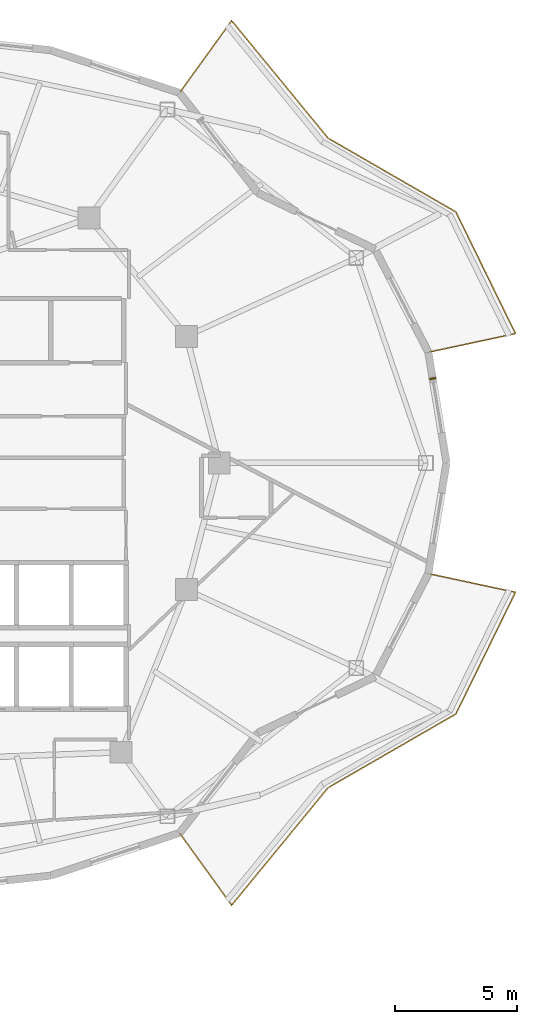
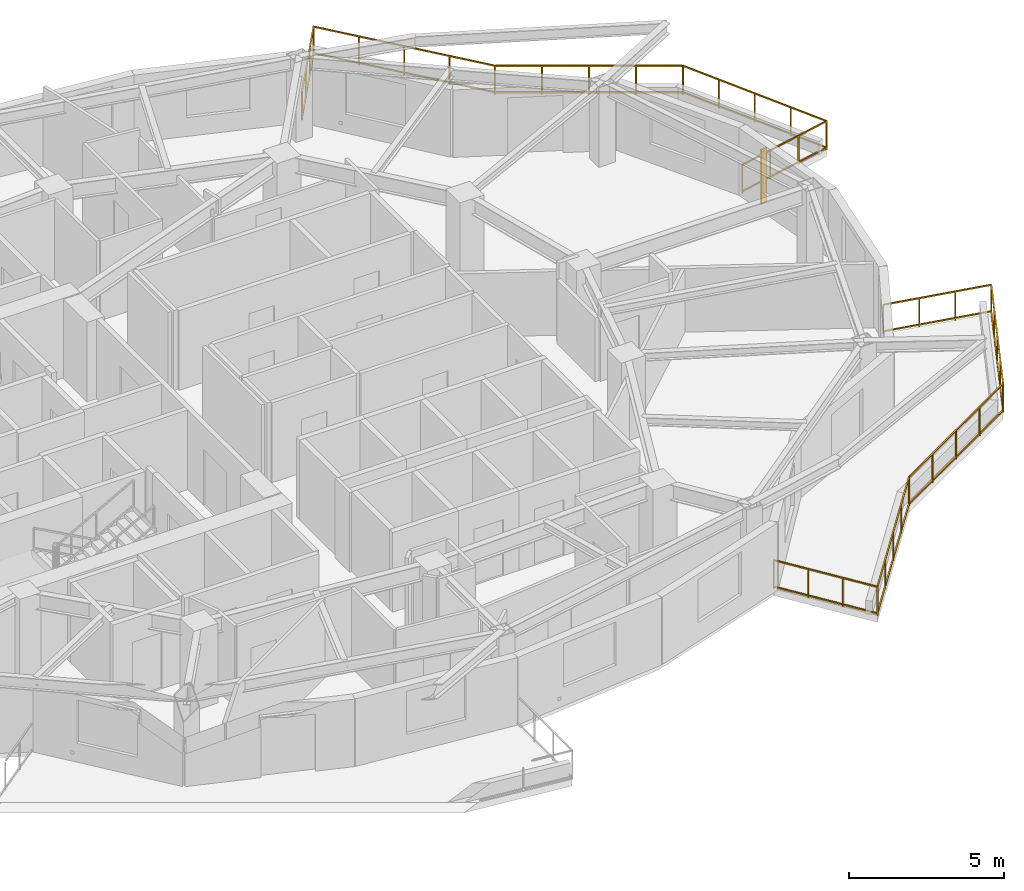
# One storey, part 9 of 10: 2 railings, 1 shading device.
"""IFC4 building model written with IfcOpenShell, lengths in metres."""

from ifc_helpers import new_model, si_unit, direction, frame, origin, origin_2d, place, context, subcontext, project, spatial, rectangle, extrude, material, type_object, element, save


model = new_model("IFC4")

# Units and contexts
model_context = context("Model", 3, precision=1e-05, world=origin(), true_north=direction((0.0, 1.0)))
body_context = subcontext(model_context, "Body", "Model", "MODEL_VIEW")
ifc_project = project(units=[si_unit("LENGTHUNIT", "METRE"), si_unit("AREAUNIT", "SQUARE_METRE"), si_unit("VOLUMEUNIT", "CUBIC_METRE"), si_unit("PLANEANGLEUNIT", "RADIAN"), si_unit("MASSUNIT", "GRAM", prefix="KILO")], contexts=[model_context])

# Site, building, storey
site_placement = place(None, origin())
site = spatial("IfcSite", under=ifc_project, at=site_placement, CompositionType="ELEMENT")
building_placement = place(site_placement, origin())
building = spatial("IfcBuilding", under=site, at=building_placement, Name="Kolvaren Gate Tower and Convention Centre", CompositionType="ELEMENT")
storey_placement = place(building_placement, frame((0.0, 0.0, 152.89990234375)))
storey = spatial("IfcBuildingStorey", under=building, at=storey_placement, Name="L39", CompositionType="ELEMENT", Elevation=152.89990234375)

# Railings
ifc_material_1 = material(Name="Brushed Stainless Steel Grade 316L", Category="steel")
railing_type = type_object("IfcRailingType", Name="ARCH-RL-GUARD-1150", PredefinedType="GUARDRAIL", material=ifc_material_1)
railing_1_placement = place(storey_placement, frame((51.31494140625, 31.542236328125, 0.0)))
element("IfcRailing", 1, at=railing_1_placement, inside=storey, type_object=railing_type, Name="Tower L39 Terrace Perimeter Guardrail GR-1", PredefinedType="GUARDRAIL", context=body_context, shape_type="SweptSolid", body=[
    extrude(rectangle(XDim=0.048095703125, YDim=0.048095703125, at=origin_2d()), frame((0.02734375, 0.005859375, 1.1259765625), z_axis=(0.977791675321, 0.209579196661, 0.0), x_axis=(-0.209579196661, 0.977791675321, 0.0)), (0.0, 0.0, 1.0), 3.60400390625),
    extrude(rectangle(XDim=0.048095703125, YDim=0.048095703125, at=origin_2d()), frame((0.02734375, 0.005859375, 0.083984375), z_axis=(0.977791675321, 0.209579196661, 0.0), x_axis=(-0.209579196661, 0.977791675321, 0.0)), (0.0, 0.0, 1.0), 3.60400390625),
    extrude(rectangle(XDim=0.048095703125, YDim=0.048095703125, at=origin_2d()), frame((3.56640625, 0.792236328125, 1.1259765625), z_axis=(-0.439655234701, 0.898166618507, 0.0), x_axis=(-0.898166618507, -0.439655234701, 0.0)), (0.0, 0.0, 1.0), 5.51123046875),
    extrude(rectangle(XDim=0.048095703125, YDim=0.048095703125, at=origin_2d()), frame((3.56640625, 0.792236328125, 0.083984375), z_axis=(-0.439655234701, 0.898166618507, 0.0), x_axis=(-0.898166618507, -0.439655234701, 0.0)), (0.0, 0.0, 1.0), 5.51123046875),
    extrude(rectangle(XDim=0.048095703125, YDim=0.048095703125, at=origin_2d()), frame((1.10693359375, 5.781494140625, 1.1259765625), z_axis=(-0.866075571306, 0.499913097234, 0.0), x_axis=(-0.499913097234, -0.866075571306, 0.0)), (0.0, 0.0, 1.0), 6.004150390625),
    extrude(rectangle(XDim=0.048095703125, YDim=0.048095703125, at=origin_2d()), frame((1.10693359375, 5.781494140625, 0.083984375), z_axis=(-0.866075571306, 0.499913097234, 0.0), x_axis=(-0.499913097234, -0.866075571306, 0.0)), (0.0, 0.0, 1.0), 6.004150390625),
    extrude(rectangle(XDim=0.048095703125, YDim=0.048095703125, at=origin_2d()), frame((-4.13525390625, 8.81884765625, 1.1259765625), z_axis=(-0.634429234628, 0.77298094818, 0.0), x_axis=(-0.77298094818, -0.634429234628, 0.0)), (0.0, 0.0, 1.0), 6.188720703125),
    extrude(rectangle(XDim=0.048095703125, YDim=0.048095703125, at=origin_2d()), frame((-4.13525390625, 8.81884765625, 0.083984375), z_axis=(-0.634429234628, 0.77298094818, 0.0), x_axis=(-0.77298094818, -0.634429234628, 0.0)), (0.0, 0.0, 1.0), 6.188720703125),
    extrude(rectangle(XDim=0.048095703125, YDim=0.048095703125, at=origin_2d()), frame((-8.095703125, 13.6015625, 1.1259765625), z_axis=(-0.585212870465, -0.810879705161, 0.0), x_axis=(0.810879705161, -0.585212870465, 0.0)), (0.0, 0.0, 1.0), 3.603759765625),
    extrude(rectangle(XDim=0.048095703125, YDim=0.048095703125, at=origin_2d()), frame((-8.095703125, 13.6015625, 0.083984375), z_axis=(-0.585212870465, -0.810879705161, 0.0), x_axis=(0.810879705161, -0.585212870465, 0.0)), (0.0, 0.0, 1.0), 3.603759765625),
    extrude(rectangle(XDim=0.0419921875, YDim=0.0419921875, at=origin_2d()), origin(), (0.0, 0.0, 1.0), 1.14990234375),
    extrude(rectangle(XDim=0.0419921875, YDim=0.0419921875, at=origin_2d()), frame((3.578857421875, 0.76708984375, 0.0)), (0.0, 0.0, 1.0), 1.14990234375),
    extrude(rectangle(XDim=0.0419921875, YDim=0.0419921875, at=origin_2d()), frame((1.19287109375, 0.255615234375, 0.0)), (0.0, 0.0, 1.0), 1.099853515625),
    extrude(rectangle(XDim=0.0419921875, YDim=0.0419921875, at=origin_2d()), frame((2.385986328125, 0.511474609375, 0.0)), (0.0, 0.0, 1.0), 1.099853515625),
    extrude(rectangle(XDim=0.0419921875, YDim=0.0419921875, at=origin_2d()), frame((1.131103515625, 5.767578125, 0.0)), (0.0, 0.0, 1.0), 1.14990234375),
    extrude(rectangle(XDim=0.0419921875, YDim=0.0419921875, at=origin_2d()), frame((2.966796875, 2.01708984375, 0.0)), (0.0, 0.0, 1.0), 1.099853515625),
    extrude(rectangle(XDim=0.0419921875, YDim=0.0419921875, at=origin_2d()), frame((2.35498046875, 3.267333984375, 0.0)), (0.0, 0.0, 1.0), 1.099853515625),
    extrude(rectangle(XDim=0.0419921875, YDim=0.0419921875, at=origin_2d()), frame((1.7431640625, 4.517578125, 0.0)), (0.0, 0.0, 1.0), 1.099853515625),
    extrude(rectangle(XDim=0.0419921875, YDim=0.0419921875, at=origin_2d()), frame((-4.117431640625, 8.797119140625, 0.0)), (0.0, 0.0, 1.0), 1.14990234375),
    extrude(rectangle(XDim=0.0419921875, YDim=0.0419921875, at=origin_2d()), frame((-0.18115234375, 6.52490234375, 0.0)), (0.0, 0.0, 1.0), 1.099853515625),
    extrude(rectangle(XDim=0.0419921875, YDim=0.0419921875, at=origin_2d()), frame((-1.4931640625, 7.2822265625, 0.0)), (0.0, 0.0, 1.0), 1.099853515625),
    extrude(rectangle(XDim=0.0419921875, YDim=0.0419921875, at=origin_2d()), frame((-2.80517578125, 8.039794921875, 0.0)), (0.0, 0.0, 1.0), 1.099853515625),
    extrude(rectangle(XDim=0.0419921875, YDim=0.0419921875, at=origin_2d()), frame((-8.079345703125, 13.624267578125, 0.0)), (0.0, 0.0, 1.0), 1.14990234375),
    extrude(rectangle(XDim=0.0419921875, YDim=0.0419921875, at=origin_2d()), frame((-5.10791015625, 10.00390625, 0.0)), (0.0, 0.0, 1.0), 1.099853515625),
    extrude(rectangle(XDim=0.0419921875, YDim=0.0419921875, at=origin_2d()), frame((-6.098388671875, 11.210693359375, 0.0)), (0.0, 0.0, 1.0), 1.099853515625),
    extrude(rectangle(XDim=0.0419921875, YDim=0.0419921875, at=origin_2d()), frame((-7.0888671875, 12.41748046875, 0.0)), (0.0, 0.0, 1.0), 1.099853515625),
    extrude(rectangle(XDim=0.0419921875, YDim=0.0419921875, at=origin_2d()), frame((-10.22119140625, 10.656494140625, 0.0)), (0.0, 0.0, 1.0), 1.14990234375),
    extrude(rectangle(XDim=0.0419921875, YDim=0.0419921875, at=origin_2d()), frame((-8.793212890625, 12.635009765625, 0.0)), (0.0, 0.0, 1.0), 1.099853515625),
    extrude(rectangle(XDim=0.0419921875, YDim=0.0419921875, at=origin_2d()), frame((-9.50732421875, 11.645751953125, 0.0)), (0.0, 0.0, 1.0), 1.099853515625),
])
railing_2_placement = place(storey_placement, frame((41.09375, 11.80126953125, 0.0)))
element("IfcRailing", 2, at=railing_2_placement, inside=storey, type_object=railing_type, Name="Tower L39 Terrace Perimeter Guardrail GR-4", PredefinedType="GUARDRAIL", context=body_context, shape_type="SweptSolid", body=[
    extrude(rectangle(XDim=0.048095703125, YDim=0.048095703125, at=origin_2d()), frame((0.016357421875, -0.022705078125, 1.1259765625), z_axis=(0.585212870465, -0.810879705161, 0.0), x_axis=(0.810879705161, 0.585212870465, 0.0)), (0.0, 0.0, 1.0), 3.603759765625),
    extrude(rectangle(XDim=0.048095703125, YDim=0.048095703125, at=origin_2d()), frame((0.016357421875, -0.022705078125, 0.083984375), z_axis=(0.585212870465, -0.810879705161, 0.0), x_axis=(0.810879705161, 0.585212870465, 0.0)), (0.0, 0.0, 1.0), 3.603759765625),
    extrude(rectangle(XDim=0.048095703125, YDim=0.048095703125, at=origin_2d()), frame((2.15966796875, -2.946044921875, 1.1259765625), z_axis=(0.634429234628, 0.77298094818, 0.0), x_axis=(-0.77298094818, 0.634429234628, 0.0)), (0.0, 0.0, 1.0), 6.188720703125),
    extrude(rectangle(XDim=0.048095703125, YDim=0.048095703125, at=origin_2d()), frame((2.15966796875, -2.946044921875, 0.083984375), z_axis=(0.634429234628, 0.77298094818, 0.0), x_axis=(-0.77298094818, 0.634429234628, 0.0)), (0.0, 0.0, 1.0), 6.188720703125),
    extrude(rectangle(XDim=0.048095703125, YDim=0.048095703125, at=origin_2d()), frame((6.1279296875, 1.873291015625, 1.1259765625), z_axis=(0.866075571306, 0.499913097234, 0.0), x_axis=(-0.499913097234, 0.866075571306, 0.0)), (0.0, 0.0, 1.0), 6.004150390625),
    extrude(rectangle(XDim=0.048095703125, YDim=0.048095703125, at=origin_2d()), frame((6.1279296875, 1.873291015625, 0.083984375), z_axis=(0.866075571306, 0.499913097234, 0.0), x_axis=(-0.499913097234, 0.866075571306, 0.0)), (0.0, 0.0, 1.0), 6.004150390625),
    extrude(rectangle(XDim=0.048095703125, YDim=0.048095703125, at=origin_2d()), frame((11.36474609375, 4.9140625, 1.1259765625), z_axis=(0.439655234701, 0.898166618507, 0.0), x_axis=(-0.898166618507, 0.439655234701, 0.0)), (0.0, 0.0, 1.0), 5.51123046875),
    extrude(rectangle(XDim=0.048095703125, YDim=0.048095703125, at=origin_2d()), frame((11.36474609375, 4.9140625, 0.083984375), z_axis=(0.439655234701, 0.898166618507, 0.0), x_axis=(-0.898166618507, 0.439655234701, 0.0)), (0.0, 0.0, 1.0), 5.51123046875),
    extrude(rectangle(XDim=0.048095703125, YDim=0.048095703125, at=origin_2d()), frame((13.772705078125, 9.895263671875, 1.1259765625), z_axis=(-0.977791675321, 0.209579196661, 0.0), x_axis=(-0.209579196661, -0.977791675321, 0.0)), (0.0, 0.0, 1.0), 3.60400390625),
    extrude(rectangle(XDim=0.048095703125, YDim=0.048095703125, at=origin_2d()), frame((13.772705078125, 9.895263671875, 0.083984375), z_axis=(-0.977791675321, 0.209579196661, 0.0), x_axis=(-0.209579196661, -0.977791675321, 0.0)), (0.0, 0.0, 1.0), 3.60400390625),
    extrude(rectangle(XDim=0.0419921875, YDim=0.0419921875, at=origin_2d()), origin(), (0.0, 0.0, 1.0), 1.14990234375),
    extrude(rectangle(XDim=0.0419921875, YDim=0.0419921875, at=origin_2d()), frame((2.141845703125, -2.9677734375, 0.0)), (0.0, 0.0, 1.0), 1.14990234375),
    extrude(rectangle(XDim=0.0419921875, YDim=0.0419921875, at=origin_2d()), frame((0.7138671875, -0.9892578125, 0.0)), (0.0, 0.0, 1.0), 1.099853515625),
    extrude(rectangle(XDim=0.0419921875, YDim=0.0419921875, at=origin_2d()), frame((1.427978515625, -1.978515625, 0.0)), (0.0, 0.0, 1.0), 1.099853515625),
    extrude(rectangle(XDim=0.0419921875, YDim=0.0419921875, at=origin_2d()), frame((6.103759765625, 1.859375, 0.0)), (0.0, 0.0, 1.0), 1.14990234375),
    extrude(rectangle(XDim=0.0419921875, YDim=0.0419921875, at=origin_2d()), frame((3.13232421875, -1.760986328125, 0.0)), (0.0, 0.0, 1.0), 1.099853515625),
    extrude(rectangle(XDim=0.0419921875, YDim=0.0419921875, at=origin_2d()), frame((4.122802734375, -0.55419921875, 0.0)), (0.0, 0.0, 1.0), 1.099853515625),
    extrude(rectangle(XDim=0.0419921875, YDim=0.0419921875, at=origin_2d()), frame((5.11328125, 0.652587890625, 0.0)), (0.0, 0.0, 1.0), 1.099853515625),
    extrude(rectangle(XDim=0.0419921875, YDim=0.0419921875, at=origin_2d()), frame((11.352294921875, 4.888916015625, 0.0)), (0.0, 0.0, 1.0), 1.14990234375),
    extrude(rectangle(XDim=0.0419921875, YDim=0.0419921875, at=origin_2d()), frame((7.416015625, 2.61669921875, 0.0)), (0.0, 0.0, 1.0), 1.099853515625),
    extrude(rectangle(XDim=0.0419921875, YDim=0.0419921875, at=origin_2d()), frame((8.72802734375, 3.3740234375, 0.0)), (0.0, 0.0, 1.0), 1.099853515625),
    extrude(rectangle(XDim=0.0419921875, YDim=0.0419921875, at=origin_2d()), frame((10.0400390625, 4.131591796875, 0.0)), (0.0, 0.0, 1.0), 1.099853515625),
    extrude(rectangle(XDim=0.0419921875, YDim=0.0419921875, at=origin_2d()), frame((13.800048828125, 9.889404296875, 0.0)), (0.0, 0.0, 1.0), 1.14990234375),
    extrude(rectangle(XDim=0.0419921875, YDim=0.0419921875, at=origin_2d()), frame((11.96435546875, 6.13916015625, 0.0)), (0.0, 0.0, 1.0), 1.099853515625),
    extrude(rectangle(XDim=0.0419921875, YDim=0.0419921875, at=origin_2d()), frame((12.576171875, 7.38916015625, 0.0)), (0.0, 0.0, 1.0), 1.099853515625),
    extrude(rectangle(XDim=0.0419921875, YDim=0.0419921875, at=origin_2d()), frame((13.18798828125, 8.63916015625, 0.0)), (0.0, 0.0, 1.0), 1.099853515625),
    extrude(rectangle(XDim=0.0419921875, YDim=0.0419921875, at=origin_2d()), frame((10.22119140625, 10.656494140625, 0.0)), (0.0, 0.0, 1.0), 1.14990234375),
    extrude(rectangle(XDim=0.0419921875, YDim=0.0419921875, at=origin_2d()), frame((12.607177734375, 10.14501953125, 0.0)), (0.0, 0.0, 1.0), 1.099853515625),
    extrude(rectangle(XDim=0.0419921875, YDim=0.0419921875, at=origin_2d()), frame((11.4140625, 10.40087890625, 0.0)), (0.0, 0.0, 1.0), 1.099853515625),
])

# Shading device
ifc_material_2 = material(Name="Kiln-Fired Bogota Terracotta Ceramic Louvre Profile", Category="masonry")
shading_device_type = type_object("IfcShadingDeviceType", Name="ARCH-SHD-FIN-180", PredefinedType="JALOUSIE", material=ifc_material_2)
shading_device_placement = place(storey_placement, frame((51.4921875, 30.46484375, 0.22021484375), z_axis=(0.0, 0.0, 1.0), x_axis=(0.162380568014, -0.986728205298, 0.0)))
element("IfcShadingDevice", 3, at=shading_device_placement, inside=storey, type_object=shading_device_type, Name="Ceramic Vertical Brise-Soleil Fin FN-L39-00", PredefinedType="JALOUSIE", context=body_context, shape_type="SweptSolid", body=[
    extrude(rectangle(XDim=0.06005859375, YDim=0.239990234375, at=origin_2d()), origin(), (0.0, 0.0, 1.0), 2.14990234375),
])

save(model, "model.ifc")
